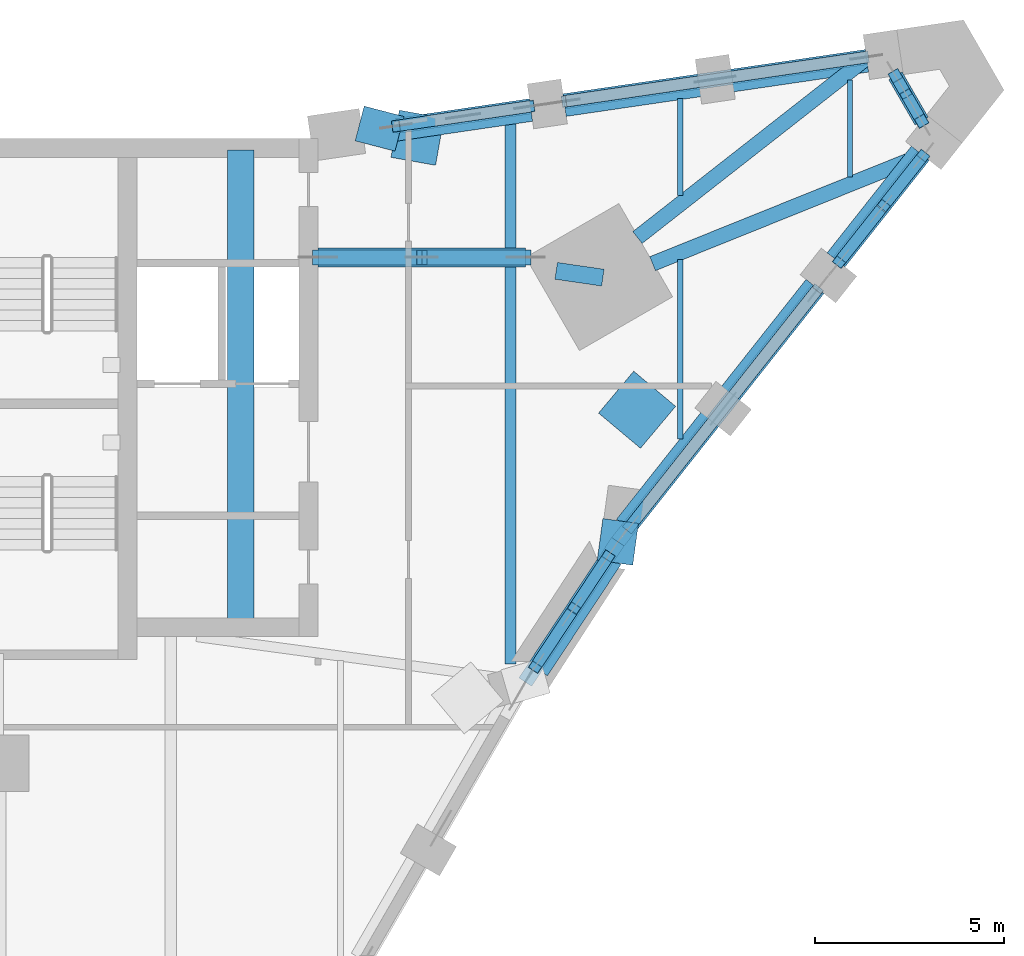
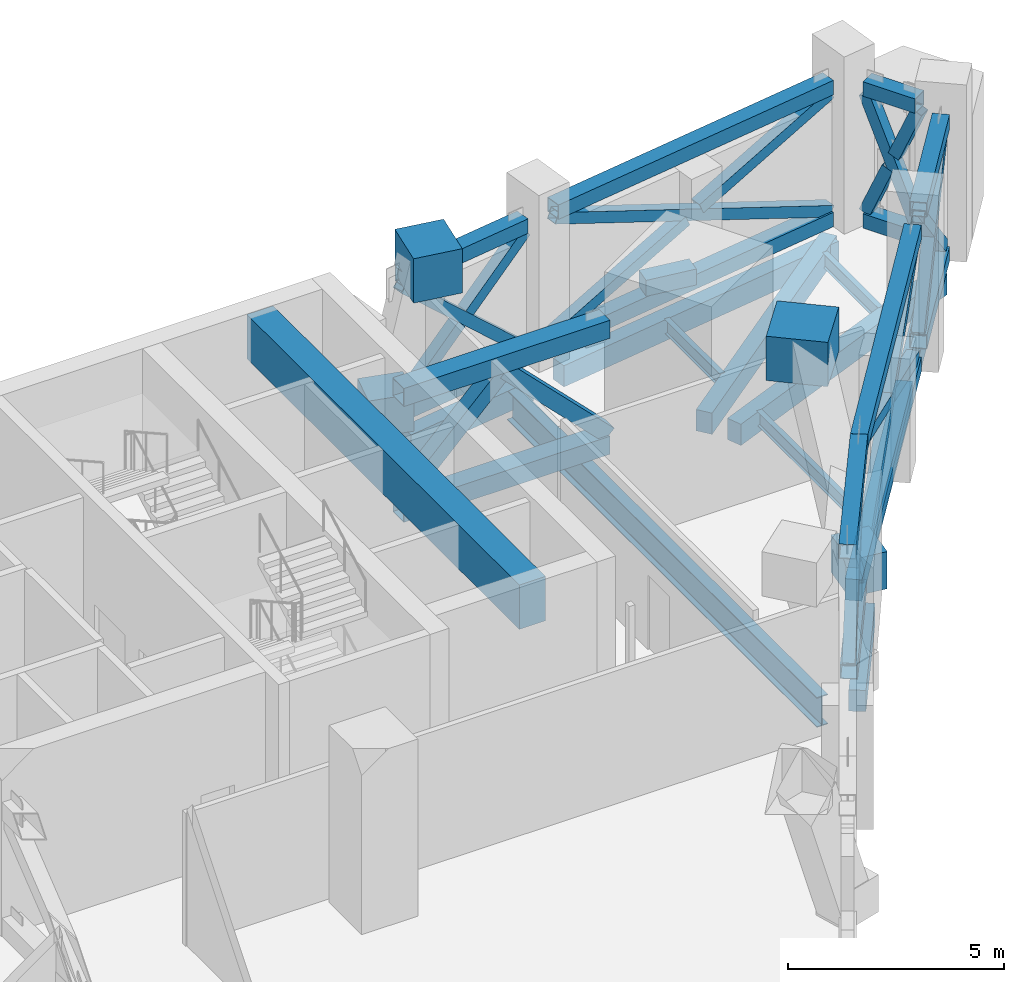
# One storey, part 4 of 20: 34 members, 17 beams.
"""IFC4 building model written with IfcOpenShell, lengths in metres."""

from ifc_helpers import new_model, si_unit, direction, frame, origin, origin_2d, place, context, subcontext, project, spatial, rectangle, hollow_rectangle, i_section, extrude, material, material_profile, profile_set, type_object, element, save


model = new_model("IFC4")

# Units and contexts
model_context = context("Model", 3, precision=1e-05, world=origin(), true_north=direction((0.0, 1.0)))
body_context = subcontext(model_context, "Body", "Model", "MODEL_VIEW")
ifc_project = project(units=[si_unit("LENGTHUNIT", "METRE"), si_unit("AREAUNIT", "SQUARE_METRE"), si_unit("VOLUMEUNIT", "CUBIC_METRE"), si_unit("PLANEANGLEUNIT", "RADIAN"), si_unit("MASSUNIT", "GRAM", prefix="KILO")], contexts=[model_context])

# Site, building, storey
site_placement = place(None, origin())
site = spatial("IfcSite", under=ifc_project, at=site_placement, CompositionType="ELEMENT")
building_placement = place(site_placement, origin())
building = spatial("IfcBuilding", under=site, at=building_placement, Name="Calabash Gate Tower", CompositionType="ELEMENT")
storey_placement = place(building_placement, frame((0.0, 0.0, 139.60009765625)))
storey = spatial("IfcBuildingStorey", under=building, at=storey_placement, Name="L32", CompositionType="ELEMENT", Elevation=139.60009765625)

# Members
ifc_material_1 = material(Name="Steel ASTM A500 Gr C", Category="steel")
ifc_material_profile_1 = material_profile(ifc_material_1, hollow_rectangle(XDim=0.406494140625, YDim=0.406494140625, WallThickness=0.015869140625, at=origin_2d()))
ifc_profile_set_1 = profile_set([ifc_material_profile_1], Name="Steel ASTM A500 Gr C")
member_type_1 = type_object("IfcMemberType", Name="Belt truss chord HSS16X16X.625 ASTM A500 Gr C", PredefinedType="CHORD", material=ifc_profile_set_1)
member_1_placement = place(storey_placement, frame((23.155029296875, 5.046630859375, 0.203125), z_axis=(0.551050614813, 0.834471820923, 0.0), x_axis=(-0.834471820923, 0.551050614813, 0.0)))
element("IfcMember", 1, at=member_1_placement, inside=storey, type_object=member_type_1, Name="Belt chord L32 56", PredefinedType="CHORD", context=body_context, shape_type="SweptSolid", body=[
    extrude(hollow_rectangle(XDim=0.406494140625, YDim=0.406494140625, WallThickness=0.015869140625, at=origin_2d()), origin(), (0.0, 0.0, 1.0), 3.52490234375),
])
member_2_placement = place(storey_placement, frame((22.89306640625, 4.64990234375, 3.927001953125), z_axis=(0.551079527311, 0.834452727588, 0.0), x_axis=(-0.834452727588, 0.551079527311, 0.0)))
element("IfcMember", 2, at=member_2_placement, inside=storey, type_object=member_type_1, Name="Belt chord L32 57", PredefinedType="CHORD", context=body_context, shape_type="SweptSolid", body=[
    extrude(hollow_rectangle(XDim=0.406494140625, YDim=0.406494140625, WallThickness=0.015869140625, at=origin_2d()), origin(), (0.0, 0.0, 1.0), 4.456787109375),
])
member_3_placement = place(storey_placement, frame((25.62548828125, 8.718017578125, 0.203125), z_axis=(0.620303727648, 0.784361705762, 0.0), x_axis=(-0.784361705762, 0.620303727648, 0.0)))
element("IfcMember", 3, at=member_3_placement, inside=storey, type_object=member_type_1, Name="Belt chord L32 61", PredefinedType="CHORD", context=body_context, shape_type="SweptSolid", body=[
    extrude(hollow_rectangle(XDim=0.406494140625, YDim=0.406494140625, WallThickness=0.015869140625, at=origin_2d()), origin(), (0.0, 0.0, 1.0), 8.099853515625),
])
member_4_placement = place(storey_placement, frame((25.343017578125, 8.361083984375, 3.927001953125), z_axis=(0.620317659861, 0.784350686906, -2.8537409e-05), x_axis=(-0.784350687226, 0.620317660114, 0.0)))
element("IfcMember", 4, at=member_4_placement, inside=storey, type_object=member_type_1, Name="Belt chord L32 62", PredefinedType="CHORD", context=body_context, shape_type="SweptSolid", body=[
    extrude(hollow_rectangle(XDim=0.406494140625, YDim=0.406494140625, WallThickness=0.015869140625, at=origin_2d()), origin(), (0.0, 0.0, 1.0), 8.55517578125),
])
for number, where, z_axis, x_axis, name in (
    (5, (31.208251953125, 15.77734375, 0.203125), (0.620301575857, 0.784363407477, 0.0), (-0.784363407477, 0.620301575857, 0.0), "Belt chord L32 66"),
    (6, (31.208251953125, 15.77734375, 3.9267578125), (0.620301575857, 0.784363407477, 0.0), (-0.784363407477, 0.620301575857, 0.0), "Belt chord L32 67"),
):
    element("IfcMember", number, at=place(storey_placement, frame(where, z_axis=z_axis, x_axis=x_axis)), inside=storey, type_object=member_type_1, Name=name, PredefinedType="CHORD", context=body_context, shape_type="SweptSolid", body=[
        extrude(hollow_rectangle(XDim=0.406494140625, YDim=0.406494140625, WallThickness=0.015869140625, at=origin_2d()), origin(), (0.0, 0.0, 1.0), 3.599609375),
    ])
for number, where, z_axis, x_axis, name in (
    (7, (33.397705078125, 19.512939453125, 0.203125), (-0.500011304563, 0.866018876994, 0.0), (-0.866018876994, -0.500011304563, 0.0), "Belt chord L32 71"),
    (8, (33.397705078125, 19.512939453125, 3.9267578125), (-0.500011304563, 0.866018876994, 0.0), (-0.866018876994, -0.500011304563, 0.0), "Belt chord L32 72"),
):
    element("IfcMember", number, at=place(storey_placement, frame(where, z_axis=z_axis, x_axis=x_axis)), inside=storey, type_object=member_type_1, Name=name, PredefinedType="CHORD", context=body_context, shape_type="SweptSolid", body=[
        extrude(hollow_rectangle(XDim=0.406494140625, YDim=0.406494140625, WallThickness=0.015869140625, at=origin_2d()), origin(), (0.0, 0.0, 1.0), 1.39013671875),
    ])
for number, where, z_axis, x_axis, name in (
    (9, (31.9345703125, 21.210693359375, 0.203125), (-0.989430603092, -0.145007177978, 0.0), (0.145007177978, -0.989430603092, 0.0), "Belt chord L32 76"),
    (10, (31.9345703125, 21.210693359375, 3.9267578125), (-0.989430603092, -0.145007177978, 0.0), (0.145007177978, -0.989430603092, 0.0), "Belt chord L32 77"),
):
    element("IfcMember", number, at=place(storey_placement, frame(where, z_axis=z_axis, x_axis=x_axis)), inside=storey, type_object=member_type_1, Name=name, PredefinedType="CHORD", context=body_context, shape_type="SweptSolid", body=[
        extrude(hollow_rectangle(XDim=0.406494140625, YDim=0.406494140625, WallThickness=0.015869140625, at=origin_2d()), origin(), (0.0, 0.0, 1.0), 8.10009765625),
    ])
for number, where, z_axis, x_axis, name in (
    (11, (23.02978515625, 19.905517578125, 0.203125), (-0.989433082017, -0.144990262464, 0.0), (0.144990262464, -0.989433082017, 0.0), "Belt chord L32 81"),
    (12, (23.02978515625, 19.905517578125, 3.9267578125), (-0.989433082017, -0.144990262464, 0.0), (0.144990262464, -0.989433082017, 0.0), "Belt chord L32 82"),
):
    element("IfcMember", number, at=place(storey_placement, frame(where, z_axis=z_axis, x_axis=x_axis)), inside=storey, type_object=member_type_1, Name=name, PredefinedType="CHORD", context=body_context, shape_type="SweptSolid", body=[
        extrude(hollow_rectangle(XDim=0.406494140625, YDim=0.406494140625, WallThickness=0.015869140625, at=origin_2d()), origin(), (0.0, 0.0, 1.0), 3.60009765625),
    ])
ifc_material_2 = material(Name="Steel ASTM A500 Gr C", Category="steel")
ifc_material_profile_2 = material_profile(ifc_material_2, hollow_rectangle(XDim=0.3046875, YDim=0.3046875, WallThickness=0.0126953125, at=origin_2d()))
ifc_profile_set_2 = profile_set([ifc_material_profile_2], Name="Steel ASTM A500 Gr C")
member_type_2 = type_object("IfcMemberType", Name="Belt truss diagonal HSS12X12X.500 ASTM A500 Gr C", PredefinedType="BRACE", material=ifc_profile_set_2)
member_5_placement = place(storey_placement, frame((23.155029296875, 5.046630859375, 0.40625), z_axis=(0.401297087276, 0.607695740008, 0.685322212773), x_axis=(-0.834471820923, 0.551050614813, 0.0)))
element("IfcMember", 13, at=member_5_placement, inside=storey, type_object=member_type_2, Name="Belt diagonal L32 58", PredefinedType="BRACE", context=body_context, shape_type="SweptSolid", body=[
    extrude(hollow_rectangle(XDim=0.3046875, YDim=0.3046875, WallThickness=0.0126953125, at=origin_2d()), origin(), (0.0, 0.0, 1.0), 4.84033203125),
])
for number, where, z_axis, x_axis, name in (
    (14, (23.155029296875, 5.046630859375, 3.723388671875), (0.401290119827, 0.607695582588, -0.685326432171), (-0.834476154772, 0.551044051884, 0.0), "Belt diagonal (split) L32 59 half 1 of 2"),
    (15, (24.1875, 6.610107421875, 1.960205078125), (0.401290119827, 0.607695582588, -0.685326432171), (-0.834476154772, 0.551044051884, 0.0), "Belt diagonal (split) L32 60 half 2 of 2"),
):
    element("IfcMember", number, at=place(storey_placement, frame(where, z_axis=z_axis, x_axis=x_axis)), inside=storey, type_object=member_type_2, Name=name, PredefinedType="BRACE", context=body_context, shape_type="SweptSolid", body=[
        extrude(hollow_rectangle(XDim=0.3046875, YDim=0.3046875, WallThickness=0.0126953125, at=origin_2d()), origin(), (0.0, 0.0, 1.0), 2.267578125),
    ])
member_6_placement = place(storey_placement, frame((25.62548828125, 8.718017578125, 0.40625), z_axis=(0.574032449976, 0.725852596975, 0.378978566464), x_axis=(-0.784361705762, 0.620303727648, 0.0)))
element("IfcMember", 16, at=member_6_placement, inside=storey, type_object=member_type_2, Name="Belt diagonal L32 63", PredefinedType="BRACE", context=body_context, shape_type="SweptSolid", body=[
    extrude(hollow_rectangle(XDim=0.3046875, YDim=0.3046875, WallThickness=0.0126953125, at=origin_2d()), origin(), (0.0, 0.0, 1.0), 8.7529296875),
])
member_7_placement = place(storey_placement, frame((25.62548828125, 8.718017578125, 3.723388671875), z_axis=(0.57404276025, 0.725845048624, -0.378977406706), x_axis=(-0.784353146399, 0.620314550638, 0.0)))
element("IfcMember", 17, at=member_7_placement, inside=storey, type_object=member_type_2, Name="Belt diagonal (split) L32 64 half 1 of 2", PredefinedType="BRACE", context=body_context, shape_type="SweptSolid", body=[
    extrude(hollow_rectangle(XDim=0.3046875, YDim=0.3046875, WallThickness=0.0126953125, at=origin_2d()), origin(), (0.0, 0.0, 1.0), 4.158935546875),
])
member_8_placement = place(storey_placement, frame((28.262451171875, 12.05224609375, 1.982666015625), z_axis=(0.574005532451, 0.725856673923, -0.379011527051), x_axis=(-0.784377553099, 0.620283688481, 0.0)))
element("IfcMember", 18, at=member_8_placement, inside=storey, type_object=member_type_2, Name="Belt diagonal (split) L32 65 half 2 of 2", PredefinedType="BRACE", context=body_context, shape_type="SweptSolid", body=[
    extrude(hollow_rectangle(XDim=0.3046875, YDim=0.3046875, WallThickness=0.0126953125, at=origin_2d()), origin(), (0.0, 0.0, 1.0), 4.1591796875),
])
member_9_placement = place(storey_placement, frame((31.208251953125, 15.77734375, 0.40625), z_axis=(0.456158120197, 0.576806107597, 0.677653660521), x_axis=(-0.784363407477, 0.620301575857, 0.0)))
element("IfcMember", 19, at=member_9_placement, inside=storey, type_object=member_type_2, Name="Belt diagonal L32 68", PredefinedType="BRACE", context=body_context, shape_type="SweptSolid", body=[
    extrude(hollow_rectangle(XDim=0.3046875, YDim=0.3046875, WallThickness=0.0126953125, at=origin_2d()), origin(), (0.0, 0.0, 1.0), 4.89501953125),
])
for number, where, z_axis, x_axis, name in (
    (20, (31.208251953125, 15.77734375, 3.723388671875), (0.456141862222, 0.576800801284, -0.677669120712), (-0.784371387719, 0.62029148481, 0.0), "Belt diagonal (split) L32 69 half 1 of 2"),
    (21, (32.39453125, 17.27734375, 1.961181640625), (0.456141862222, 0.576800801284, -0.677669120712), (-0.784371387719, 0.62029148481, 0.0), "Belt diagonal (split) L32 70 half 2 of 2"),
):
    element("IfcMember", number, at=place(storey_placement, frame(where, z_axis=z_axis, x_axis=x_axis)), inside=storey, type_object=member_type_2, Name=name, PredefinedType="BRACE", context=body_context, shape_type="SweptSolid", body=[
        extrude(hollow_rectangle(XDim=0.3046875, YDim=0.3046875, WallThickness=0.0126953125, at=origin_2d()), origin(), (0.0, 0.0, 1.0), 2.29443359375),
    ])
member_10_placement = place(storey_placement, frame((33.397705078125, 19.512939453125, 0.40625), z_axis=(-0.193255047029, 0.334717469933, 0.92228883877), x_axis=(-0.866018876994, -0.500011304563, 0.0)))
element("IfcMember", 22, at=member_10_placement, inside=storey, type_object=member_type_2, Name="Belt diagonal L32 73", PredefinedType="BRACE", context=body_context, shape_type="SweptSolid", body=[
    extrude(hollow_rectangle(XDim=0.3046875, YDim=0.3046875, WallThickness=0.0126953125, at=origin_2d()), origin(), (0.0, 0.0, 1.0), 3.5966796875),
])
member_11_placement = place(storey_placement, frame((33.397705078125, 19.512939453125, 3.723388671875), z_axis=(-0.193353651148, 0.334786839797, -0.922242992647), x_axis=(-0.865953288776, -0.500124886062, 0.0)))
element("IfcMember", 23, at=member_11_placement, inside=storey, type_object=member_type_2, Name="Belt diagonal (split) L32 74 half 1 of 2", PredefinedType="BRACE", context=body_context, shape_type="SweptSolid", body=[
    extrude(hollow_rectangle(XDim=0.3046875, YDim=0.3046875, WallThickness=0.0126953125, at=origin_2d()), origin(), (0.0, 0.0, 1.0), 1.584716796875),
])
member_12_placement = place(storey_placement, frame((33.0087890625, 20.1865234375, 1.86767578125), z_axis=(-0.193215302251, 0.334659997201, -0.922318021752), x_axis=(-0.866026229868, -0.499998569178, 0.0)))
element("IfcMember", 24, at=member_12_placement, inside=storey, type_object=member_type_2, Name="Belt diagonal (split) L32 75 half 2 of 2", PredefinedType="BRACE", context=body_context, shape_type="SweptSolid", body=[
    extrude(hollow_rectangle(XDim=0.3046875, YDim=0.3046875, WallThickness=0.0126953125, at=origin_2d()), origin(), (0.0, 0.0, 1.0), 1.58447265625),
])
member_13_placement = place(storey_placement, frame((31.9345703125, 21.210693359375, 0.40625), z_axis=(-0.915625948808, -0.134190649152, 0.37897492206), x_axis=(0.145007177978, -0.989430603092, 0.0)))
element("IfcMember", 25, at=member_13_placement, inside=storey, type_object=member_type_2, Name="Belt diagonal L32 78", PredefinedType="BRACE", context=body_context, shape_type="SweptSolid", body=[
    extrude(hollow_rectangle(XDim=0.3046875, YDim=0.3046875, WallThickness=0.0126953125, at=origin_2d()), origin(), (0.0, 0.0, 1.0), 8.7529296875),
])
member_14_placement = place(storey_placement, frame((31.9345703125, 21.210693359375, 3.723388671875), z_axis=(-0.915634642595, -0.134184293414, -0.378956167228), x_axis=(0.144999106529, -0.989431785979, 0.0)))
element("IfcMember", 26, at=member_14_placement, inside=storey, type_object=member_type_2, Name="Belt diagonal (split) L32 79 half 1 of 2", PredefinedType="BRACE", context=body_context, shape_type="SweptSolid", body=[
    extrude(hollow_rectangle(XDim=0.3046875, YDim=0.3046875, WallThickness=0.0126953125, at=origin_2d()), origin(), (0.0, 0.0, 1.0), 4.1591796875),
])
member_15_placement = place(storey_placement, frame((27.728515625, 20.59423828125, 1.982666015625), z_axis=(-0.915614274248, -0.134181308477, -0.379006434311), x_axis=(0.144999106529, -0.989431785979, 0.0)))
element("IfcMember", 27, at=member_15_placement, inside=storey, type_object=member_type_2, Name="Belt diagonal (split) L32 80 half 2 of 2", PredefinedType="BRACE", context=body_context, shape_type="SweptSolid", body=[
    extrude(hollow_rectangle(XDim=0.3046875, YDim=0.3046875, WallThickness=0.0126953125, at=origin_2d()), origin(), (0.0, 0.0, 1.0), 4.159423828125),
])
member_16_placement = place(storey_placement, frame((23.02978515625, 19.905517578125, 0.40625), z_axis=(-0.727641690368, -0.106627685676, 0.677619441195), x_axis=(0.144990262464, -0.989433082017, 0.0)))
element("IfcMember", 28, at=member_16_placement, inside=storey, type_object=member_type_2, Name="Belt diagonal L32 83", PredefinedType="BRACE", context=body_context, shape_type="SweptSolid", body=[
    extrude(hollow_rectangle(XDim=0.3046875, YDim=0.3046875, WallThickness=0.0126953125, at=origin_2d()), origin(), (0.0, 0.0, 1.0), 4.895263671875),
])
member_17_placement = place(storey_placement, frame((23.02978515625, 19.905517578125, 3.723388671875), z_axis=(-0.727685248968, -0.10659950577, -0.677577098052), x_axis=(0.144944254749, -0.989439822837, 0.0)))
element("IfcMember", 29, at=member_17_placement, inside=storey, type_object=member_type_2, Name="Belt diagonal (split) L32 84 half 1 of 2", PredefinedType="BRACE", context=body_context, shape_type="SweptSolid", body=[
    extrude(hollow_rectangle(XDim=0.3046875, YDim=0.3046875, WallThickness=0.0126953125, at=origin_2d()), origin(), (0.0, 0.0, 1.0), 2.294921875),
])
member_18_placement = place(storey_placement, frame((21.137451171875, 19.628173828125, 1.961181640625), z_axis=(-0.727635190944, -0.106607758638, -0.677629555655), x_axis=(0.144965003176, -0.989436783152, 0.0)))
element("IfcMember", 30, at=member_18_placement, inside=storey, type_object=member_type_2, Name="Belt diagonal (split) L32 85 half 2 of 2", PredefinedType="BRACE", context=body_context, shape_type="SweptSolid", body=[
    extrude(hollow_rectangle(XDim=0.3046875, YDim=0.3046875, WallThickness=0.0126953125, at=origin_2d()), origin(), (0.0, 0.0, 1.0), 2.294677734375),
])

# Beams
ifc_material_3 = material(Name="Concrete C80/95", Category="concrete")
ifc_material_profile_3 = material_profile(ifc_material_3, rectangle(XDim=0.449951171875, YDim=0.449951171875, at=origin_2d()))
ifc_profile_set_3 = profile_set([ifc_material_profile_3], Name="Concrete C80/95")
beam_type_1 = type_object("IfcBeamType", Name="Column offset link RC 450x450 Concrete C80/95", PredefinedType="BEAM", material=ifc_profile_set_3)
beam_1_placement = place(storey_placement, frame((24.950927734375, 15.366943359375, 4.60400390625), z_axis=(-0.989575317735, 0.144016285642, 0.0), x_axis=(-0.144016285642, -0.989575317735, 0.0)))
element("IfcBeam", 31, at=beam_1_placement, inside=storey, type_object=beam_type_1, Name="Column offset link L32 NE", PredefinedType="BEAM", context=body_context, shape_type="SweptSolid", body=[
    extrude(rectangle(XDim=0.449951171875, YDim=0.449951171875, at=origin_2d()), origin(), (0.0, 0.0, 1.0), 1.2509765625),
])
ifc_material_4 = material(Name="Concrete C80/95", Category="concrete")
ifc_material_profile_4 = material_profile(ifc_material_4, rectangle(XDim=0.699951171875, YDim=1.25, at=origin_2d()))
ifc_profile_set_4 = profile_set([ifc_material_profile_4], Name="Concrete C80/95")
beam_type_2 = type_object("IfcBeamType", Name="Core wall transfer beam RC 700x1250 Concrete C80/95", PredefinedType="BEAM", material=ifc_profile_set_4)
beam_2_placement = place(storey_placement, frame((15.35009765625, 6.153076171875, 4.206787109375), z_axis=(0.0, 1.0, 0.0), x_axis=(-1.0, 0.0, 0.0)))
element("IfcBeam", 32, at=beam_2_placement, inside=storey, type_object=beam_type_2, Name="Core wall transfer beam L32 2", PredefinedType="BEAM", context=body_context, shape_type="SweptSolid", body=[
    extrude(rectangle(XDim=0.699951171875, YDim=1.25, at=origin_2d()), origin(), (0.0, 0.0, 1.0), 12.599853515625),
])
ifc_material_5 = material(Name="Concrete C60/75", Category="concrete")
ifc_material_profile_5 = material_profile(ifc_material_5, rectangle(XDim=0.39990234375, YDim=0.60009765625, at=origin_2d()))
ifc_profile_set_5 = profile_set([ifc_material_profile_5], Name="Concrete C60/75")
beam_type_3 = type_object("IfcBeamType", Name="Edge beam RC 400x600 Concrete C60/75", PredefinedType="BEAM", material=ifc_profile_set_5)
beam_3_placement = place(storey_placement, frame((23.31591796875, 4.927978515625, -0.60009765625), z_axis=(0.551168729938, 0.834393810583, 0.0), x_axis=(-0.834393810583, 0.551168729938, 0.0)))
element("IfcBeam", 33, at=beam_3_placement, inside=storey, type_object=beam_type_3, Name="Edge beam L32 14", PredefinedType="BEAM", context=body_context, shape_type="SweptSolid", body=[
    extrude(rectangle(XDim=0.39990234375, YDim=0.60009765625, at=origin_2d()), origin(), (0.0, 0.0, 1.0), 3.53076171875),
])
beam_4_placement = place(storey_placement, frame((25.468994140625, 8.842041015625, -0.60009765625), z_axis=(0.620163994237, 0.784472192147, 0.0), x_axis=(-0.784472192147, 0.620163994237, 0.0)))
element("IfcBeam", 34, at=beam_4_placement, inside=storey, type_object=beam_type_3, Name="Edge beam L32 15", PredefinedType="BEAM", context=body_context, shape_type="SweptSolid", body=[
    extrude(rectangle(XDim=0.39990234375, YDim=0.60009765625, at=origin_2d()), origin(), (0.0, 0.0, 1.0), 8.10107421875),
])
beam_5_placement = place(storey_placement, frame((31.051025390625, 15.90087890625, -0.60009765625), z_axis=(0.619938740258, 0.784650213998, 0.0), x_axis=(-0.784650213998, 0.619938740258, 0.0)))
element("IfcBeam", 35, at=beam_5_placement, inside=storey, type_object=beam_type_3, Name="Edge beam L32 16", PredefinedType="BEAM", context=body_context, shape_type="SweptSolid", body=[
    extrude(rectangle(XDim=0.39990234375, YDim=0.60009765625, at=origin_2d()), origin(), (0.0, 0.0, 1.0), 3.601806640625),
])
beam_6_placement = place(storey_placement, frame((33.431884765625, 18.6220703125, -0.60009765625), z_axis=(-0.927578087242, -0.373629351187, 0.0), x_axis=(0.373629351187, -0.927578087242, 0.0)))
element("IfcBeam", 36, at=beam_6_placement, inside=storey, type_object=beam_type_3, Name="Edge beam L32 17", PredefinedType="BEAM", context=body_context, shape_type="SweptSolid", body=[
    extrude(rectangle(XDim=0.39990234375, YDim=0.60009765625, at=origin_2d()), origin(), (0.0, 0.0, 1.0), 7.72412109375),
])
beam_7_placement = place(storey_placement, frame((25.866943359375, 16.429931640625, -0.60009765625), z_axis=(0.78732420498, 0.616539209015, 0.0), x_axis=(-0.616539209015, 0.78732420498, 0.0)))
element("IfcBeam", 37, at=beam_7_placement, inside=storey, type_object=beam_type_3, Name="Edge beam L32 18", PredefinedType="BEAM", context=body_context, shape_type="SweptSolid", body=[
    extrude(rectangle(XDim=0.39990234375, YDim=0.60009765625, at=origin_2d()), origin(), (0.0, 0.0, 1.0), 7.7236328125),
])
beam_8_placement = place(storey_placement, frame((31.964111328125, 21.012939453125, -0.60009765625), z_axis=(-0.989423855138, -0.145053213974, 0.0), x_axis=(0.145053213974, -0.989423855138, 0.0)))
element("IfcBeam", 38, at=beam_8_placement, inside=storey, type_object=beam_type_3, Name="Edge beam L32 19", PredefinedType="BEAM", context=body_context, shape_type="SweptSolid", body=[
    extrude(rectangle(XDim=0.39990234375, YDim=0.60009765625, at=origin_2d()), origin(), (0.0, 0.0, 1.0), 8.100830078125),
])
beam_9_placement = place(storey_placement, frame((23.05908203125, 19.7080078125, -0.60009765625), z_axis=(-0.989433082017, -0.144990262464, 0.0), x_axis=(0.144990262464, -0.989433082017, 0.0)))
element("IfcBeam", 39, at=beam_9_placement, inside=storey, type_object=beam_type_3, Name="Edge beam L32 20", PredefinedType="BEAM", context=body_context, shape_type="SweptSolid", body=[
    extrude(rectangle(XDim=0.39990234375, YDim=0.60009765625, at=origin_2d()), origin(), (0.0, 0.0, 1.0), 3.60009765625),
])
ifc_material_6 = material(Name="Steel ASTM A992 Gr50", Category="steel")
ifc_material_profile_6 = material_profile(ifc_material_6, i_section(OverallWidth=0.1396484375, OverallDepth=0.398681640625, WebThickness=0.00634765625, FlangeThickness=0.0087890625, FilletRadius=0.01025390625, at=origin_2d()))
ifc_profile_set_6 = profile_set([ifc_material_profile_6], Name="Steel ASTM A992 Gr50")
beam_type_4 = type_object("IfcBeamType", Name="Floor beam W16x26 ASTM A992 Gr50", PredefinedType="BEAM", material=ifc_profile_set_6)
beam_10_placement = place(storey_placement, frame((27.0, 11.089111328125, -0.4990234375), z_axis=(0.0, 1.0, 0.0), x_axis=(-1.0, 0.0, 0.0)))
element("IfcBeam", 40, at=beam_10_placement, inside=storey, type_object=beam_type_4, Name="Floor beam L32 19", PredefinedType="BEAM", context=body_context, shape_type="SweptSolid", body=[
    extrude(i_section(OverallWidth=0.1396484375, OverallDepth=0.398681640625, WebThickness=0.00634765625, FlangeThickness=0.0087890625, FilletRadius=0.01025390625, at=origin_2d()), origin(), (0.0, 0.0, 1.0), 4.7587890625),
])
beam_11_placement = place(storey_placement, frame((27.0, 17.550048828125, -0.4990234375), z_axis=(0.0, 1.0, 0.0), x_axis=(-1.0, 0.0, 0.0)))
element("IfcBeam", 41, at=beam_11_placement, inside=storey, type_object=beam_type_4, Name="Floor beam L32 20", PredefinedType="BEAM", context=body_context, shape_type="SweptSolid", body=[
    extrude(i_section(OverallWidth=0.1396484375, OverallDepth=0.398681640625, WebThickness=0.00634765625, FlangeThickness=0.0087890625, FilletRadius=0.01025390625, at=origin_2d()), origin(), (0.0, 0.0, 1.0), 2.56689453125),
])
beam_12_placement = place(storey_placement, frame((31.5, 18.028076171875, -0.4990234375), z_axis=(0.0, 1.0, 0.0), x_axis=(-1.0, 0.0, 0.0)))
element("IfcBeam", 42, at=beam_12_placement, inside=storey, type_object=beam_type_4, Name="Floor beam L32 21", PredefinedType="BEAM", context=body_context, shape_type="SweptSolid", body=[
    extrude(i_section(OverallWidth=0.1396484375, OverallDepth=0.398681640625, WebThickness=0.00634765625, FlangeThickness=0.0087890625, FilletRadius=0.01025390625, at=origin_2d()), origin(), (0.0, 0.0, 1.0), 2.580810546875),
])
ifc_material_7 = material(Name="Steel ASTM A992 Gr50", Category="steel")
ifc_material_profile_7 = material_profile(ifc_material_7, i_section(OverallWidth=0.2919921875, OverallDepth=0.845703125, WebThickness=0.015380859375, FlangeThickness=0.0244140625, FilletRadius=0.017822265625, at=origin_2d()))
ifc_profile_set_7 = profile_set([ifc_material_profile_7], Name="Steel ASTM A992 Gr50")
beam_type_5 = type_object("IfcBeamType", Name="Floor beam W33x141 ASTM A992 Gr50", PredefinedType="BEAM", material=ifc_profile_set_7)
beam_13_placement = place(storey_placement, frame((22.5, 5.134033203125, -0.72314453125), z_axis=(0.0, 1.0, 0.0), x_axis=(-1.0, 0.0, 0.0)))
element("IfcBeam", 43, at=beam_13_placement, inside=storey, type_object=beam_type_5, Name="Floor beam L32 18", PredefinedType="BEAM", context=body_context, shape_type="SweptSolid", body=[
    extrude(i_section(OverallWidth=0.2919921875, OverallDepth=0.845703125, WebThickness=0.015380859375, FlangeThickness=0.0244140625, FilletRadius=0.017822265625, at=origin_2d()), origin(), (0.0, 0.0, 1.0), 14.322021484375),
])

# Members
ifc_material_8 = material(Name="Steel ASTM A500 Gr C", Category="steel")
ifc_material_profile_8 = material_profile(ifc_material_8, hollow_rectangle(XDim=0.508056640625, YDim=0.508056640625, WallThickness=0.01904296875, at=origin_2d()))
ifc_profile_set_8 = profile_set([ifc_material_profile_8], Name="Steel ASTM A500 Gr C")
member_type_3 = type_object("IfcMemberType", Name="Outrigger chord HSS20X20X.750 ASTM A500 Gr C", PredefinedType="CHORD", material=ifc_profile_set_8)
for number, where, z_axis, x_axis, name in (
    (44, (22.905029296875, 15.903076171875, 0.25390625), (-1.0, 0.0, 0.0), (0.0, -1.0, 0.0), "Outrigger chord L32 NE"),
    (45, (22.905029296875, 15.903076171875, 3.52587890625), (-1.0, 0.0, 0.0), (0.0, -1.0, 0.0), "Outrigger chord L32 NE"),
):
    element("IfcMember", number, at=place(storey_placement, frame(where, z_axis=z_axis, x_axis=x_axis)), inside=storey, type_object=member_type_3, Name=name, PredefinedType="CHORD", context=body_context, shape_type="SweptSolid", body=[
        extrude(hollow_rectangle(XDim=0.508056640625, YDim=0.508056640625, WallThickness=0.01904296875, at=origin_2d()), origin(), (0.0, 0.0, 1.0), 5.505126953125),
    ])
ifc_material_9 = material(Name="Steel ASTM A500 Gr C", Category="steel")
ifc_material_profile_9 = material_profile(ifc_material_9, hollow_rectangle(XDim=0.406494140625, YDim=0.406494140625, WallThickness=0.015869140625, at=origin_2d()))
ifc_profile_set_9 = profile_set([ifc_material_profile_9], Name="Steel ASTM A500 Gr C")
member_type_4 = type_object("IfcMemberType", Name="Outrigger diagonal HSS16X16X.625 ASTM A500 Gr C", PredefinedType="BRACE", material=ifc_profile_set_9)
member_19_placement = place(storey_placement, frame((22.905029296875, 15.903076171875, 0.5078125), z_axis=(-0.705603103595, 0.0, 0.708607267953), x_axis=(0.0, -1.0, 0.0)))
element("IfcMember", 46, at=member_19_placement, inside=storey, type_object=member_type_4, Name="Outrigger diagonal L32 NE", PredefinedType="BRACE", context=body_context, shape_type="SweptSolid", body=[
    extrude(hollow_rectangle(XDim=0.406494140625, YDim=0.406494140625, WallThickness=0.015869140625, at=origin_2d()), origin(), (0.0, 0.0, 1.0), 3.90087890625),
])
member_20_placement = place(storey_placement, frame((20.152587890625, 15.903076171875, 3.27197265625), z_axis=(-0.705634527843, 0.0, -0.708575975542), x_axis=(0.0, -1.0, 0.0)))
element("IfcMember", 47, at=member_20_placement, inside=storey, type_object=member_type_4, Name="Outrigger diagonal L32 NE", PredefinedType="BRACE", context=body_context, shape_type="SweptSolid", body=[
    extrude(hollow_rectangle(XDim=0.406494140625, YDim=0.406494140625, WallThickness=0.015869140625, at=origin_2d()), origin(), (0.0, 0.0, 1.0), 3.901123046875),
])

# Beams
ifc_material_10 = material(Name="Concrete C60/75", Category="concrete")
ifc_material_profile_10 = material_profile(ifc_material_10, rectangle(XDim=1.199951171875, YDim=1.25, at=origin_2d()))
ifc_profile_set_10 = profile_set([ifc_material_profile_10], Name="Concrete C60/75")
beam_type_6 = type_object("IfcBeamType", Name="Transfer node RC 1200x1250 Concrete C60/75", PredefinedType="BEAM", material=ifc_profile_set_10)
beam_14_placement = place(storey_placement, frame((19.927001953125, 18.448974609375, 4.376953125), z_axis=(0.174059624845, 0.984735115145, 0.0), x_axis=(-0.984735115145, 0.174059624845, 0.0)))
element("IfcBeam", 48, at=beam_14_placement, inside=storey, type_object=beam_type_6, Name="Transfer node L32 head P24", PredefinedType="BEAM", context=body_context, shape_type="SweptSolid", body=[
    extrude(rectangle(XDim=1.199951171875, YDim=1.25, at=origin_2d()), origin(), (0.0, 0.0, 1.0), 1.269287109375),
])
ifc_material_11 = material(Name="Concrete C60/75", Category="concrete")
ifc_material_profile_11 = material_profile(ifc_material_11, rectangle(XDim=1.449951171875, YDim=1.25, at=origin_2d()))
ifc_profile_set_11 = profile_set([ifc_material_profile_11], Name="Concrete C60/75")
beam_type_7 = type_object("IfcBeamType", Name="Transfer node RC 1450x1250 Concrete C60/75", PredefinedType="BEAM", material=ifc_profile_set_11)
beam_15_placement = place(storey_placement, frame((26.4130859375, 11.40087890625, 4.376953125), z_axis=(-0.766105979115, 0.642714266812, 0.0), x_axis=(-0.642714266812, -0.766105979115, 0.0)))
element("IfcBeam", 49, at=beam_15_placement, inside=storey, type_object=beam_type_7, Name="Transfer node L32 head P13", PredefinedType="BEAM", context=body_context, shape_type="SweptSolid", body=[
    extrude(rectangle(XDim=1.449951171875, YDim=1.25, at=origin_2d()), origin(), (0.0, 0.0, 1.0), 1.4501953125),
])
ifc_material_12 = material(Name="Concrete C60/75", Category="concrete")
ifc_material_profile_12 = material_profile(ifc_material_12, rectangle(XDim=0.949951171875, YDim=1.050048828125, at=origin_2d()))
ifc_profile_set_12 = profile_set([ifc_material_profile_12], Name="Concrete C60/75")
beam_type_8 = type_object("IfcBeamType", Name="Transfer node RC 950x1050 Concrete C60/75", PredefinedType="BEAM", material=ifc_profile_set_12)
beam_16_placement = place(storey_placement, frame((25.27099609375, 7.81201171875, 0.52685546875), z_axis=(0.135269231625, 0.990808879136, 0.0), x_axis=(-0.990808879136, 0.135269231625, 0.0)))
element("IfcBeam", 50, at=beam_16_placement, inside=storey, type_object=beam_type_8, Name="Transfer node L32 foot P13", PredefinedType="BEAM", context=body_context, shape_type="SweptSolid", body=[
    extrude(rectangle(XDim=0.949951171875, YDim=1.050048828125, at=origin_2d()), origin(), (0.0, 0.0, 1.0), 1.1171875),
])
beam_17_placement = place(storey_placement, frame((18.506103515625, 19.451904296875, 0.52685546875), z_axis=(0.967902104462, -0.251327507801, 0.0), x_axis=(0.251327507801, 0.967902104462, 0.0)))
element("IfcBeam", 51, at=beam_17_placement, inside=storey, type_object=beam_type_8, Name="Transfer node L32 foot P24", PredefinedType="BEAM", context=body_context, shape_type="SweptSolid", body=[
    extrude(rectangle(XDim=0.949951171875, YDim=1.050048828125, at=origin_2d()), origin(), (0.0, 0.0, 1.0), 1.08984375),
])

save(model, "model.ifc")
